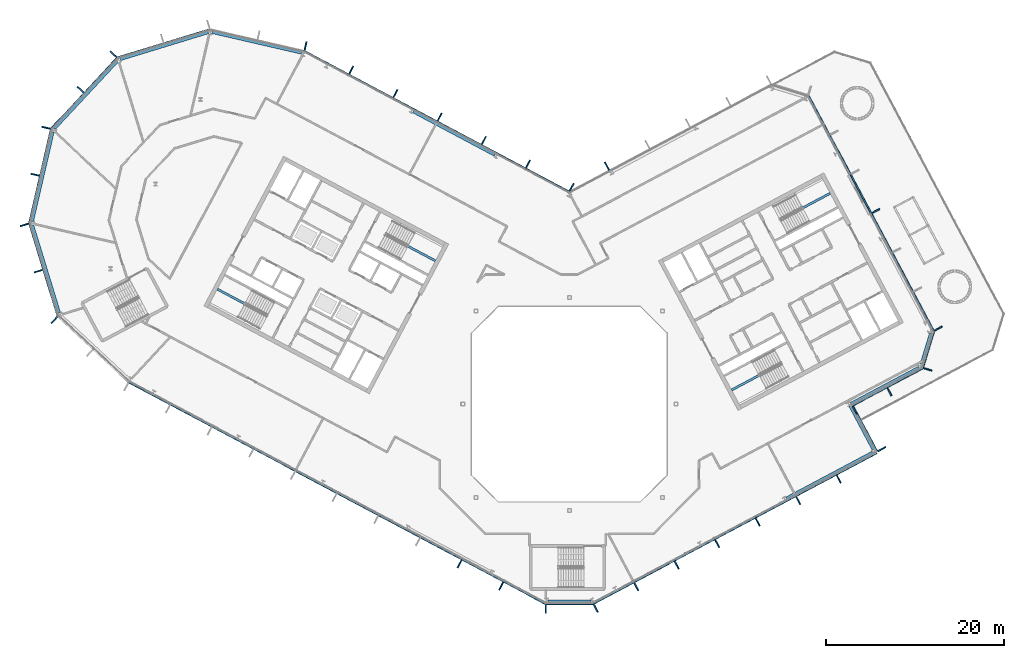
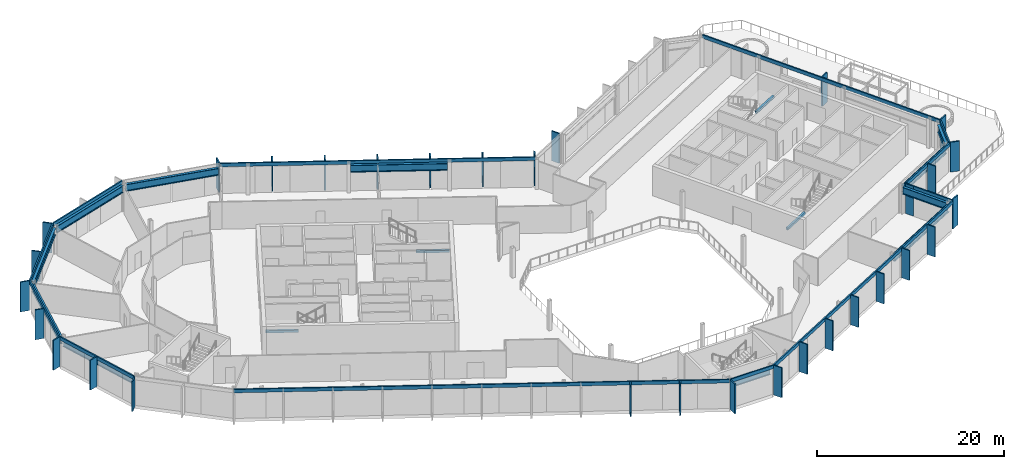
# One storey, part 9 of 30: 43 members, 15 beams, 15 elements without a shape of their own.
"""IFC4 building model written with IfcOpenShell, lengths in metres."""

import ifcopenshell
import ifcopenshell.guid

model = None  # the IFC model being written
_history = None  # IfcOwnerHistory: only IFC2X3 demands one
_inside = {}  # id of a spatial element -> (the spatial element, [elements in it])
_under = {}  # id of a project, library or spatial element -> (it, [spatial elements below it])
_declared = {}  # id of a project -> (the project, [libraries it declares])
_typed = {}  # id of a type object -> (the type object, [elements of that type])
_made_of = {}  # id of a material, layer set ... -> (it, [elements and type objects made of it])


def new_model(schema):
    """Start an empty IFC model of exactly this schema.

    Asked for "IFC4X3", IfcOpenShell would pick the latest addendum, in which some entities
    have other attributes; the version numbers below select the first issue.
    IFC2X3 requires an IfcOwnerHistory on every rooted entity: one is made here for all.
    """
    global model, _history
    if schema == "IFC4X3":
        model = ifcopenshell.file(schema_version=(4, 3, 0, 0))
    else:
        model = ifcopenshell.file(schema=schema)
    _inside.clear()
    _under.clear()
    _declared.clear()
    _typed.clear()
    _made_of.clear()
    _history = None
    if model.schema == "IFC2X3":
        org = make("IfcOrganization", Name="unknown")
        user = make(
            "IfcPersonAndOrganization",
            ThePerson=make("IfcPerson", FamilyName="unknown"),
            TheOrganization=org,
        )
        app = make(
            "IfcApplication",
            ApplicationDeveloper=org,
            Version="unknown",
            ApplicationFullName="unknown",
            ApplicationIdentifier="unknown",
        )
        _history = make(
            "IfcOwnerHistory",
            OwningUser=user,
            OwningApplication=app,
            ChangeAction="ADDED",
            CreationDate=0,
        )
    return model


def make(cls, **values):
    """One entity of the class cls with the attributes given. An attribute that is None is left unset."""
    return model.create_entity(
        cls, **{name: value for name, value in values.items() if value is not None}
    )


def rooted(cls, **values):
    """An entity with a GlobalId (a new one), such as an element, a storey or a relation."""
    return make(cls, GlobalId=ifcopenshell.guid.new(), OwnerHistory=_history, **values)


def si_unit(unit_type, name, prefix=None):
    """IfcSIUnit, for example si_unit("LENGTHUNIT", "METRE", prefix="MILLI")."""
    return make("IfcSIUnit", UnitType=unit_type, Prefix=prefix, Name=name)


def assignment(units):
    """IfcUnitAssignment: the units of a project."""
    return None if units is None else make("IfcUnitAssignment", Units=units)


def point(xyz):
    """IfcCartesianPoint."""
    return None if xyz is None else make("IfcCartesianPoint", Coordinates=xyz)


def direction(xyz):
    """IfcDirection."""
    return None if xyz is None else make("IfcDirection", DirectionRatios=xyz)


def frame(location, z_axis=None, x_axis=None):
    """IfcAxis2Placement3D, a coordinate frame: its origin and axes. An axis left out is left unset."""
    return make(
        "IfcAxis2Placement3D",
        Location=point(location),
        Axis=direction(z_axis),
        RefDirection=direction(x_axis),
    )


def frame_2d(location, x_axis=None):
    """IfcAxis2Placement2D, a coordinate frame in the plane: its origin and x axis."""
    return make(
        "IfcAxis2Placement2D", Location=point(location), RefDirection=direction(x_axis)
    )


def origin():
    """The frame at (0, 0, 0) with its axes left unset."""
    return frame((0.0, 0.0, 0.0))


def origin_2d():
    """The frame at (0, 0) in the plane with its x axis left unset."""
    return frame_2d((0.0, 0.0))


def place(relative_to, where):
    """IfcLocalPlacement: puts the frame where relative to a parent placement (None: the world)."""
    return make(
        "IfcLocalPlacement", PlacementRelTo=relative_to, RelativePlacement=where
    )


def context(
    kind, dimensions, precision=None, world=None, true_north=None, identifier=None
):
    """IfcGeometricRepresentationContext, for example the 3D "Model" context."""
    return make(
        "IfcGeometricRepresentationContext",
        ContextIdentifier=identifier,
        ContextType=kind,
        CoordinateSpaceDimension=dimensions,
        Precision=precision,
        WorldCoordinateSystem=world,
        TrueNorth=true_north,
    )


def subcontext(parent, identifier, kind, view, scale=None):
    """IfcGeometricRepresentationSubContext, for example "Body" below "Model"."""
    return make(
        "IfcGeometricRepresentationSubContext",
        ContextIdentifier=identifier,
        ContextType=kind,
        ParentContext=parent,
        TargetScale=scale,
        TargetView=view,
    )


def project(units=None, contexts=None):
    """IfcProject with its units and contexts."""
    return rooted(
        "IfcProject",
        Name="project",
        RepresentationContexts=contexts,
        UnitsInContext=assignment(units),
    )


def spatial(cls, under=None, at=None, **own):
    """A site, building, storey or space (cls), placed at a placement, below another one or the project."""
    s = rooted(cls, ObjectPlacement=at, **own)
    if under is not None:
        _under.setdefault(under.id(), (under, []))[1].append(s)
    return s


def profile(cls, at=None, kind="AREA", **sizes):
    """A parametric profile (cls). Its sizes go by their IFC names, for example OverallWidth=200.0."""
    return make(cls, ProfileType=kind, Position=at, **sizes)


def rectangle(**sizes):
    """IfcRectangleProfileDef."""
    return profile("IfcRectangleProfileDef", **sizes)


def i_section(**sizes):
    """IfcIShapeProfileDef."""
    return profile("IfcIShapeProfileDef", **sizes)


def extrude(swept, where, along, depth):
    """IfcExtrudedAreaSolid: the profile swept, set in the frame where, extruded along a direction by depth."""
    return make(
        "IfcExtrudedAreaSolid",
        SweptArea=swept,
        Position=where,
        ExtrudedDirection=direction(along),
        Depth=depth,
    )


def shape(context_of_items, identifier, shape_type, items):
    """IfcShapeRepresentation: the items that make up one representation, for example the "Body"."""
    return make(
        "IfcShapeRepresentation",
        ContextOfItems=context_of_items,
        RepresentationIdentifier=identifier,
        RepresentationType=shape_type,
        Items=items,
    )


def material(Name=None, Category=None):
    """IfcMaterial."""
    return make("IfcMaterial", Name=Name, Category=Category)


def layer(
    of_material, thickness, ventilated=None, Name=None, Category=None, Priority=None
):
    """IfcMaterialLayer: one layer of a wall or slab, of a material (None: an air gap)."""
    return make(
        "IfcMaterialLayer",
        Material=of_material,
        LayerThickness=thickness,
        IsVentilated=ventilated,
        Name=Name,
        Category=Category,
        Priority=Priority,
    )


def layer_set(layers, Name=None):
    """IfcMaterialLayerSet."""
    return make("IfcMaterialLayerSet", MaterialLayers=layers, LayerSetName=Name)


def material_profile(
    of_material, cross_section, Name=None, Category=None, Priority=None
):
    """IfcMaterialProfile: a cross section and its material."""
    return make(
        "IfcMaterialProfile",
        Name=Name,
        Material=of_material,
        Profile=cross_section,
        Priority=Priority,
        Category=Category,
    )


def profile_set(profiles, Name=None, composite=None):
    """IfcMaterialProfileSet."""
    return make(
        "IfcMaterialProfileSet",
        Name=Name,
        MaterialProfiles=profiles,
        CompositeProfile=composite,
    )


def made_of(thing, what):
    """Note that an element or type object is made of a material, layer set ...; save() writes the relation."""
    if what is not None:
        _made_of.setdefault(what.id(), (what, []))[1].append(thing)
    return thing


def type_object(cls, material=None, **own):
    """A type object (cls), such as IfcWallType, which elements share."""
    return made_of(rooted(cls, **own), material)


def element(
    cls,
    number,
    at=None,
    inside=None,
    cuts=None,
    type_object=None,
    material=None,
    context=None,
    identifier="Body",
    shape_type=None,
    held_by="IfcProductDefinitionShape",
    body=None,
    shapes=None,
    **own,
):
    """One element of the class cls, such as IfcWall. Its Tag is "e" and its number.

    at: its placement. inside: the storey or other place that contains it. cuts: it is an
    opening in that element (IfcRelVoidsElement). A single representation is given by context,
    identifier, shape_type and body (its items); several are given by shapes. held_by: the class
    of the entity that holds the representations. save() writes the other relations.
    """
    e = rooted(cls, Tag="e%d" % number, ObjectPlacement=at, **own)
    if body is not None:
        shapes = [shape(context, identifier, shape_type, body)]
    if shapes is not None:
        e.Representation = make(held_by, Representations=shapes)
    if inside is not None:
        _inside.setdefault(inside.id(), (inside, []))[1].append(e)
    if cuts is not None:
        rooted(
            "IfcRelVoidsElement", RelatingBuildingElement=cuts, RelatedOpeningElement=e
        )
    if type_object is not None:
        _typed.setdefault(type_object.id(), (type_object, []))[1].append(e)
    return made_of(e, material)


def aggregate(whole, parts):
    """IfcRelAggregates: a whole, such as a stair, and the parts it consists of."""
    return rooted("IfcRelAggregates", RelatingObject=whole, RelatedObjects=parts)


def save(model, path):
    """Write the relations noted so far, then the file.

    IfcRelAggregates (storeys below a building ...), IfcRelContainedInSpatialStructure (elements
    in a storey), IfcRelDefinesByType, IfcRelAssociatesMaterial and IfcRelDeclares: one each for
    every whole, place, type object, material and project.
    """
    for whole, parts in _under.values():
        aggregate(whole, parts)
    for where, things in _inside.values():
        rooted(
            "IfcRelContainedInSpatialStructure",
            RelatedElements=things,
            RelatingStructure=where,
        )
    for kind, things in _typed.values():
        rooted("IfcRelDefinesByType", RelatedObjects=things, RelatingType=kind)
    for what, things in _made_of.values():
        rooted("IfcRelAssociatesMaterial", RelatedObjects=things, RelatingMaterial=what)
    for by, libraries in _declared.values():
        rooted("IfcRelDeclares", RelatingContext=by, RelatedDefinitions=libraries)
    model.write(path)


model = new_model("IFC4")

# Units and contexts
model_context = context("Model", 3, precision=1e-05, world=origin(), true_north=direction((0.0, 1.0)))
body_context = subcontext(model_context, "Body", "Model", "MODEL_VIEW")
ifc_project = project(units=[si_unit("LENGTHUNIT", "METRE"), si_unit("AREAUNIT", "SQUARE_METRE"), si_unit("VOLUMEUNIT", "CUBIC_METRE"), si_unit("PLANEANGLEUNIT", "RADIAN"), si_unit("MASSUNIT", "GRAM", prefix="KILO")], contexts=[model_context])

# Site, building, storey
site_placement = place(None, origin())
site = spatial("IfcSite", under=ifc_project, at=site_placement, CompositionType="ELEMENT")
building_placement = place(site_placement, origin())
building = spatial("IfcBuilding", under=site, at=building_placement, Name="Cormorant Relay Tower", CompositionType="ELEMENT")
storey_placement = place(building_placement, frame((0.0, 0.0, 258.0)))
storey = spatial("IfcBuildingStorey", under=building, at=storey_placement, Name="L57", CompositionType="ELEMENT", Elevation=258.0)

# Curtain wall, member
ifc_material_1 = material(Name="Aluminium 6063-T6 anodised bronze", Category="aluminium")
ifc_layer = layer(ifc_material_1, 0.199951171875)
ifc_layer_set = layer_set([ifc_layer], Name="CW1 unitised bronze curtain wall with vertical fins")
curtain_wall_type = type_object("IfcCurtainWallType", Name="CW1 unitised bronze curtain wall with vertical fins", PredefinedType="NOTDEFINED", material=ifc_layer_set)
curtain_wall_1_placement = place(storey_placement, origin())
curtain_wall_1 = element("IfcCurtainWall", 1, at=curtain_wall_1_placement, inside=storey, type_object=curtain_wall_type, Name="CW1 curtain wall 1", PredefinedType="NOTDEFINED")
ifc_material_2 = material(Name="Aluminium 6063-T6 anodised bronze", Category="aluminium")
ifc_material_profile_1 = material_profile(ifc_material_2, rectangle(XDim=0.14990234375, YDim=1.0, at=origin_2d()), Name="AL 150x1000")
ifc_profile_set_1 = profile_set([ifc_material_profile_1], Name="Aluminium 6063-T6 anodised bronze")
member_type_1 = type_object("IfcMemberType", Name="CW1 bronze fin mullion 150 x 1000", PredefinedType="MULLION", material=ifc_profile_set_1)
member_1_placement = place(storey_placement, frame((-2.648681640625, -23.07568359375, 0.0), z_axis=(0.0, 0.0, 1.0), x_axis=(1.0, 0.0, 0.0)))
member_1 = element("IfcMember", 2, at=member_1_placement, type_object=member_type_1, Name="CW1 fin 1.1", PredefinedType="MULLION", context=body_context, shape_type="SweptSolid", body=[
    extrude(rectangle(XDim=0.14990234375, YDim=1.0, at=origin_2d()), origin(), (0.0, 0.0, 1.0), 3.89990234375),
])

# Curtain wall, members
curtain_wall_2_placement = place(storey_placement, origin())
curtain_wall_2 = element("IfcCurtainWall", 3, at=curtain_wall_2_placement, inside=storey, type_object=curtain_wall_type, Name="CW1 curtain wall 2", PredefinedType="NOTDEFINED")
member_2_placement = place(storey_placement, frame((2.9775390625, -22.99365234375, 0.0), z_axis=(0.0, 0.0, 1.0), x_axis=(0.882947592859, 0.469471562786, 0.0)))
member_2 = element("IfcMember", 4, at=member_2_placement, type_object=member_type_1, Name="CW1 fin 2.1", PredefinedType="MULLION", context=body_context, shape_type="SweptSolid", body=[
    extrude(rectangle(XDim=0.14990234375, YDim=1.0, at=origin_2d()), origin(), (0.0, 0.0, 1.0), 3.89990234375),
])
member_3_placement = place(storey_placement, frame((7.539306640625, -20.568115234375, 0.0), z_axis=(0.0, 0.0, 1.0), x_axis=(0.882947592859, 0.469471562786, 0.0)))
member_3 = element("IfcMember", 5, at=member_3_placement, type_object=member_type_1, Name="CW1 fin 2.2", PredefinedType="MULLION", context=body_context, shape_type="SweptSolid", body=[
    extrude(rectangle(XDim=0.14990234375, YDim=1.0, at=origin_2d()), origin(), (0.0, 0.0, 1.0), 3.89990234375),
])
member_4_placement = place(storey_placement, frame((12.10107421875, -18.142578125, 0.0), z_axis=(0.0, 0.0, 1.0), x_axis=(0.882947592859, 0.469471562786, 0.0)))
member_4 = element("IfcMember", 6, at=member_4_placement, type_object=member_type_1, Name="CW1 fin 2.3", PredefinedType="MULLION", context=body_context, shape_type="SweptSolid", body=[
    extrude(rectangle(XDim=0.14990234375, YDim=1.0, at=origin_2d()), origin(), (0.0, 0.0, 1.0), 3.89990234375),
])
member_5_placement = place(storey_placement, frame((16.662841796875, -15.717041015625, 0.0), z_axis=(0.0, 0.0, 1.0), x_axis=(0.882947592859, 0.469471562786, 0.0)))
member_5 = element("IfcMember", 7, at=member_5_placement, type_object=member_type_1, Name="CW1 fin 2.4", PredefinedType="MULLION", context=body_context, shape_type="SweptSolid", body=[
    extrude(rectangle(XDim=0.14990234375, YDim=1.0, at=origin_2d()), origin(), (0.0, 0.0, 1.0), 3.89990234375),
])
member_6_placement = place(storey_placement, frame((21.224609375, -13.29150390625, 0.0), z_axis=(0.0, 0.0, 1.0), x_axis=(0.882947592859, 0.469471562786, 0.0)))
member_6 = element("IfcMember", 8, at=member_6_placement, type_object=member_type_1, Name="CW1 fin 2.5", PredefinedType="MULLION", context=body_context, shape_type="SweptSolid", body=[
    extrude(rectangle(XDim=0.14990234375, YDim=1.0, at=origin_2d()), origin(), (0.0, 0.0, 1.0), 3.89990234375),
])
member_7_placement = place(storey_placement, frame((25.78662109375, -10.865966796875, 0.0), z_axis=(0.0, 0.0, 1.0), x_axis=(0.882947592859, 0.469471562786, 0.0)))
member_7 = element("IfcMember", 9, at=member_7_placement, type_object=member_type_1, Name="CW1 fin 2.6", PredefinedType="MULLION", context=body_context, shape_type="SweptSolid", body=[
    extrude(rectangle(XDim=0.14990234375, YDim=1.0, at=origin_2d()), origin(), (0.0, 0.0, 1.0), 3.89990234375),
])
member_8_placement = place(storey_placement, frame((30.348388671875, -8.440185546875, 0.0), z_axis=(0.0, 0.0, 1.0), x_axis=(0.882947592859, 0.469471562786, 0.0)))
member_8 = element("IfcMember", 10, at=member_8_placement, type_object=member_type_1, Name="CW1 fin 2.7", PredefinedType="MULLION", context=body_context, shape_type="SweptSolid", body=[
    extrude(rectangle(XDim=0.14990234375, YDim=1.0, at=origin_2d()), origin(), (0.0, 0.0, 1.0), 3.89990234375),
])

# Curtain wall, member
curtain_wall_3_placement = place(storey_placement, origin())
curtain_wall_3 = element("IfcCurtainWall", 11, at=curtain_wall_3_placement, inside=storey, type_object=curtain_wall_type, Name="CW1 curtain wall 3", PredefinedType="NOTDEFINED")
member_9_placement = place(storey_placement, frame((35.199462890625, -5.068115234375, 0.0), z_axis=(0.0, 0.0, 1.0), x_axis=(-0.469471562786, 0.882947592859, 0.0)))
member_9 = element("IfcMember", 12, at=member_9_placement, type_object=member_type_1, Name="CW1 fin 3.1", PredefinedType="MULLION", context=body_context, shape_type="SweptSolid", body=[
    extrude(rectangle(XDim=0.14990234375, YDim=1.0, at=origin_2d()), origin(), (0.0, 0.0, 1.0), 3.89990234375),
])

# Curtain wall, members
curtain_wall_4_placement = place(storey_placement, origin())
curtain_wall_4 = element("IfcCurtainWall", 13, at=curtain_wall_4_placement, inside=storey, type_object=curtain_wall_type, Name="CW1 curtain wall 4", PredefinedType="NOTDEFINED")
member_10_placement = place(storey_placement, frame((32.159423828125, -0.681884765625, 0.0), z_axis=(0.0, 0.0, 1.0), x_axis=(0.882947592859, 0.469471562786, 0.0)))
member_10 = element("IfcMember", 14, at=member_10_placement, type_object=member_type_1, Name="CW1 fin 4.1", PredefinedType="MULLION", context=body_context, shape_type="SweptSolid", body=[
    extrude(rectangle(XDim=0.14990234375, YDim=1.0, at=origin_2d()), origin(), (0.0, 0.0, 1.0), 3.89990234375),
])
member_11_placement = place(storey_placement, frame((36.06640625, 1.3955078125, 0.0), z_axis=(0.0, 0.0, 1.0), x_axis=(0.882947592859, 0.469471562786, 0.0)))
member_11 = element("IfcMember", 15, at=member_11_placement, type_object=member_type_1, Name="CW1 fin 4.2", PredefinedType="MULLION", context=body_context, shape_type="SweptSolid", body=[
    extrude(rectangle(XDim=0.14990234375, YDim=1.0, at=origin_2d()), origin(), (0.0, 0.0, 1.0), 3.89990234375),
])

# Curtain wall, member
curtain_wall_5_placement = place(storey_placement, origin())
curtain_wall_5 = element("IfcCurtainWall", 16, at=curtain_wall_5_placement, inside=storey, type_object=curtain_wall_type, Name="CW1 curtain wall 5", PredefinedType="NOTDEFINED")
member_12_placement = place(storey_placement, frame((40.380615234375, 3.921630859375, 0.0), z_axis=(0.0, 0.0, 1.0), x_axis=(0.292371704723, 0.956304755963, 0.0)))
member_12 = element("IfcMember", 17, at=member_12_placement, type_object=member_type_1, Name="CW1 fin 5.1", PredefinedType="MULLION", context=body_context, shape_type="SweptSolid", body=[
    extrude(rectangle(XDim=0.14990234375, YDim=1.0, at=origin_2d()), origin(), (0.0, 0.0, 1.0), 3.89990234375),
])

# Curtain wall, members
curtain_wall_6_placement = place(storey_placement, origin())
curtain_wall_6 = element("IfcCurtainWall", 18, at=curtain_wall_6_placement, inside=storey, type_object=curtain_wall_type, Name="CW1 curtain wall 6", PredefinedType="NOTDEFINED")
member_13_placement = place(storey_placement, frame((41.569580078125, 8.51220703125, 0.0), z_axis=(0.0, 0.0, 1.0), x_axis=(-0.469471562786, 0.882947592859, 0.0)))
member_13 = element("IfcMember", 19, at=member_13_placement, type_object=member_type_1, Name="CW1 fin 6.1", PredefinedType="MULLION", context=body_context, shape_type="SweptSolid", body=[
    extrude(rectangle(XDim=0.14990234375, YDim=1.0, at=origin_2d()), origin(), (0.0, 0.0, 1.0), 3.89990234375),
])
member_14_placement = place(storey_placement, frame((34.527587890625, 21.75634765625, 0.0), z_axis=(0.0, 0.0, 1.0), x_axis=(-0.469471562786, 0.882947592859, 0.0)))
member_14 = element("IfcMember", 20, at=member_14_placement, type_object=member_type_1, Name="CW1 fin 6.4", PredefinedType="MULLION", context=body_context, shape_type="SweptSolid", body=[
    extrude(rectangle(XDim=0.14990234375, YDim=1.0, at=origin_2d()), origin(), (0.0, 0.0, 1.0), 3.89990234375),
])

# Curtain wall, member
curtain_wall_7_placement = place(storey_placement, origin())
curtain_wall_7 = element("IfcCurtainWall", 21, at=curtain_wall_7_placement, inside=storey, type_object=curtain_wall_type, Name="CW1 curtain wall 8", PredefinedType="NOTDEFINED")
member_15_placement = place(storey_placement, frame((4.2333984375, 26.82763671875, 0.0), z_axis=(0.0, 0.0, 1.0), x_axis=(-0.882947592859, -0.469471562786, 0.0)))
member_15 = element("IfcMember", 22, at=member_15_placement, type_object=member_type_1, Name="CW1 fin 8.5", PredefinedType="MULLION", context=body_context, shape_type="SweptSolid", body=[
    extrude(rectangle(XDim=0.14990234375, YDim=1.0, at=origin_2d()), origin(), (0.0, 0.0, 1.0), 3.89990234375),
])
aggregate(curtain_wall_7, [member_15])

# Curtain wall, members
curtain_wall_8_placement = place(storey_placement, origin())
curtain_wall_8 = element("IfcCurtainWall", 23, at=curtain_wall_8_placement, inside=storey, type_object=curtain_wall_type, Name="CW1 curtain wall 9", PredefinedType="NOTDEFINED")
member_16_placement = place(storey_placement, frame((0.262451171875, 24.437255859375, 0.0), z_axis=(0.0, 0.0, 1.0), x_axis=(-0.882947592859, 0.469471562786, 0.0)))
member_16 = element("IfcMember", 24, at=member_16_placement, type_object=member_type_1, Name="CW1 fin 9.1", PredefinedType="MULLION", context=body_context, shape_type="SweptSolid", body=[
    extrude(rectangle(XDim=0.14990234375, YDim=1.0, at=origin_2d()), origin(), (0.0, 0.0, 1.0), 3.89990234375),
])
member_17_placement = place(storey_placement, frame((-4.650390625, 27.04931640625, 0.0), z_axis=(0.0, 0.0, 1.0), x_axis=(-0.882947592859, 0.469471562786, 0.0)))
member_17 = element("IfcMember", 25, at=member_17_placement, type_object=member_type_1, Name="CW1 fin 9.2", PredefinedType="MULLION", context=body_context, shape_type="SweptSolid", body=[
    extrude(rectangle(XDim=0.14990234375, YDim=1.0, at=origin_2d()), origin(), (0.0, 0.0, 1.0), 3.89990234375),
])
member_18_placement = place(storey_placement, frame((-9.62939453125, 29.69677734375, 0.0), z_axis=(0.0, 0.0, 1.0), x_axis=(-0.882947592859, 0.469471562786, 0.0)))
member_18 = element("IfcMember", 26, at=member_18_placement, type_object=member_type_1, Name="CW1 fin 9.3", PredefinedType="MULLION", context=body_context, shape_type="SweptSolid", body=[
    extrude(rectangle(XDim=0.14990234375, YDim=1.0, at=origin_2d()), origin(), (0.0, 0.0, 1.0), 3.89990234375),
])
member_19_placement = place(storey_placement, frame((-14.608154296875, 32.343994140625, 0.0), z_axis=(0.0, 0.0, 1.0), x_axis=(-0.882947592859, 0.469471562786, 0.0)))
member_19 = element("IfcMember", 27, at=member_19_placement, type_object=member_type_1, Name="CW1 fin 9.4", PredefinedType="MULLION", context=body_context, shape_type="SweptSolid", body=[
    extrude(rectangle(XDim=0.14990234375, YDim=1.0, at=origin_2d()), origin(), (0.0, 0.0, 1.0), 3.89990234375),
])
member_20_placement = place(storey_placement, frame((-19.587158203125, 34.991455078125, 0.0), z_axis=(0.0, 0.0, 1.0), x_axis=(-0.882947592859, 0.469471562786, 0.0)))
member_20 = element("IfcMember", 28, at=member_20_placement, type_object=member_type_1, Name="CW1 fin 9.5", PredefinedType="MULLION", context=body_context, shape_type="SweptSolid", body=[
    extrude(rectangle(XDim=0.14990234375, YDim=1.0, at=origin_2d()), origin(), (0.0, 0.0, 1.0), 3.89990234375),
])
member_21_placement = place(storey_placement, frame((-24.566162109375, 37.638916015625, 0.0), z_axis=(0.0, 0.0, 1.0), x_axis=(-0.882947592859, 0.469471562786, 0.0)))
member_21 = element("IfcMember", 29, at=member_21_placement, type_object=member_type_1, Name="CW1 fin 9.6", PredefinedType="MULLION", context=body_context, shape_type="SweptSolid", body=[
    extrude(rectangle(XDim=0.14990234375, YDim=1.0, at=origin_2d()), origin(), (0.0, 0.0, 1.0), 3.89990234375),
])

# Curtain wall, member
curtain_wall_9_placement = place(storey_placement, origin())
curtain_wall_9 = element("IfcCurtainWall", 30, at=curtain_wall_9_placement, inside=storey, type_object=curtain_wall_type, Name="CW1 curtain wall 10", PredefinedType="NOTDEFINED")
member_22_placement = place(storey_placement, frame((-29.71630859375, 40.35009765625, 0.0), z_axis=(0.0, 0.0, 1.0), x_axis=(-0.974370064785, 0.224951054344, 0.0)))
member_22 = element("IfcMember", 31, at=member_22_placement, type_object=member_type_1, Name="CW1 fin 10.1", PredefinedType="MULLION", context=body_context, shape_type="SweptSolid", body=[
    extrude(rectangle(XDim=0.14990234375, YDim=1.0, at=origin_2d()), origin(), (0.0, 0.0, 1.0), 3.89990234375),
])
aggregate(curtain_wall_9, [member_22])

# Curtain wall, members
curtain_wall_10_placement = place(storey_placement, origin())
curtain_wall_10 = element("IfcCurtainWall", 32, at=curtain_wall_10_placement, inside=storey, type_object=curtain_wall_type, Name="CW1 curtain wall 12", PredefinedType="NOTDEFINED")
member_23_placement = place(storey_placement, frame((-51.372802734375, 39.41259765625, 0.0), z_axis=(0.0, 0.0, 1.0), x_axis=(-0.681998360062, -0.731353701619, 0.0)))
member_23 = element("IfcMember", 33, at=member_23_placement, type_object=member_type_1, Name="CW1 fin 12.1", PredefinedType="MULLION", context=body_context, shape_type="SweptSolid", body=[
    extrude(rectangle(XDim=0.14990234375, YDim=1.0, at=origin_2d()), origin(), (0.0, 0.0, 1.0), 3.89990234375),
])
member_24_placement = place(storey_placement, frame((-55.07958984375, 35.4375, 0.0), z_axis=(0.0, 0.0, 1.0), x_axis=(-0.681998360062, -0.731353701619, 0.0)))
member_24 = element("IfcMember", 34, at=member_24_placement, type_object=member_type_1, Name="CW1 fin 12.2", PredefinedType="MULLION", context=body_context, shape_type="SweptSolid", body=[
    extrude(rectangle(XDim=0.14990234375, YDim=1.0, at=origin_2d()), origin(), (0.0, 0.0, 1.0), 3.89990234375),
])

curtain_wall_11_placement = place(storey_placement, origin())
curtain_wall_11 = element("IfcCurtainWall", 35, at=curtain_wall_11_placement, inside=storey, type_object=curtain_wall_type, Name="CW1 curtain wall 13", PredefinedType="NOTDEFINED")
member_25_placement = place(storey_placement, frame((-58.95654296875, 31.142578125, 0.0), z_axis=(0.0, 0.0, 1.0), x_axis=(-0.224951054344, -0.974370064785, 0.0)))
member_25 = element("IfcMember", 36, at=member_25_placement, type_object=member_type_1, Name="CW1 fin 13.1", PredefinedType="MULLION", context=body_context, shape_type="SweptSolid", body=[
    extrude(rectangle(XDim=0.14990234375, YDim=1.0, at=origin_2d()), origin(), (0.0, 0.0, 1.0), 3.89990234375),
])
member_26_placement = place(storey_placement, frame((-60.17919921875, 25.8466796875, 0.0), z_axis=(0.0, 0.0, 1.0), x_axis=(-0.224951054344, -0.974370064785, 0.0)))
member_26 = element("IfcMember", 37, at=member_26_placement, type_object=member_type_1, Name="CW1 fin 13.2", PredefinedType="MULLION", context=body_context, shape_type="SweptSolid", body=[
    extrude(rectangle(XDim=0.14990234375, YDim=1.0, at=origin_2d()), origin(), (0.0, 0.0, 1.0), 3.89990234375),
])

curtain_wall_12_placement = place(storey_placement, origin())
curtain_wall_12 = element("IfcCurtainWall", 38, at=curtain_wall_12_placement, inside=storey, type_object=curtain_wall_type, Name="CW1 curtain wall 14", PredefinedType="NOTDEFINED")
member_27_placement = place(storey_placement, frame((-61.389404296875, 20.188720703125, 0.0), z_axis=(0.0, 0.0, 1.0), x_axis=(0.292371704723, -0.956304755963, 0.0)))
member_27 = element("IfcMember", 39, at=member_27_placement, type_object=member_type_1, Name="CW1 fin 14.1", PredefinedType="MULLION", context=body_context, shape_type="SweptSolid", body=[
    extrude(rectangle(XDim=0.14990234375, YDim=1.0, at=origin_2d()), origin(), (0.0, 0.0, 1.0), 3.89990234375),
])
member_28_placement = place(storey_placement, frame((-59.80029296875, 14.990966796875, 0.0), z_axis=(0.0, 0.0, 1.0), x_axis=(0.292371704723, -0.956304755963, 0.0)))
member_28 = element("IfcMember", 40, at=member_28_placement, type_object=member_type_1, Name="CW1 fin 14.2", PredefinedType="MULLION", context=body_context, shape_type="SweptSolid", body=[
    extrude(rectangle(XDim=0.14990234375, YDim=1.0, at=origin_2d()), origin(), (0.0, 0.0, 1.0), 3.89990234375),
])

# Curtain wall, member
curtain_wall_13_placement = place(storey_placement, origin())
curtain_wall_13 = element("IfcCurtainWall", 41, at=curtain_wall_13_placement, inside=storey, type_object=curtain_wall_type, Name="CW1 curtain wall 15", PredefinedType="NOTDEFINED")
member_29_placement = place(storey_placement, frame((-58.01904296875, 9.486083984375, 0.0), z_axis=(0.0, 0.0, 1.0), x_axis=(0.731353701619, -0.681998360062, 0.0)))
member_29 = element("IfcMember", 42, at=member_29_placement, type_object=member_type_1, Name="CW1 fin 15.1", PredefinedType="MULLION", context=body_context, shape_type="SweptSolid", body=[
    extrude(rectangle(XDim=0.14990234375, YDim=1.0, at=origin_2d()), origin(), (0.0, 0.0, 1.0), 3.89990234375),
])
aggregate(curtain_wall_13, [member_29])

# Curtain wall, members
curtain_wall_14_placement = place(storey_placement, origin())
curtain_wall_14 = element("IfcCurtainWall", 43, at=curtain_wall_14_placement, inside=storey, type_object=curtain_wall_type, Name="CW1 curtain wall 16", PredefinedType="NOTDEFINED")
member_30_placement = place(storey_placement, frame((-12.365966796875, -18.001708984375, 0.0), z_axis=(0.0, 0.0, 1.0), x_axis=(0.882947592859, -0.469471562786, 0.0)))
member_30 = element("IfcMember", 44, at=member_30_placement, type_object=member_type_1, Name="CW1 fin 16.9", PredefinedType="MULLION", context=body_context, shape_type="SweptSolid", body=[
    extrude(rectangle(XDim=0.14990234375, YDim=1.0, at=origin_2d()), origin(), (0.0, 0.0, 1.0), 3.89990234375),
])
member_31_placement = place(storey_placement, frame((-7.671630859375, -20.49755859375, 0.0), z_axis=(0.0, 0.0, 1.0), x_axis=(0.882947592859, -0.469471562786, 0.0)))
member_31 = element("IfcMember", 45, at=member_31_placement, type_object=member_type_1, Name="CW1 fin 16.10", PredefinedType="MULLION", context=body_context, shape_type="SweptSolid", body=[
    extrude(rectangle(XDim=0.14990234375, YDim=1.0, at=origin_2d()), origin(), (0.0, 0.0, 1.0), 3.89990234375),
])

# Member
ifc_material_3 = material(Name="Aluminium 6063-T6 anodised bronze", Category="aluminium")
ifc_material_profile_2 = material_profile(ifc_material_3, rectangle(XDim=0.159912109375, YDim=0.449951171875, at=origin_2d()), Name="AL 160x450")
ifc_profile_set_2 = profile_set([ifc_material_profile_2], Name="Aluminium 6063-T6 anodised bronze")
member_type_2 = type_object("IfcMemberType", Name="CW1 bronze transom 160 x 450", PredefinedType="USERDEFINED", material=ifc_profile_set_2)
member_32_placement = place(storey_placement, frame((-2.648681640625, -22.49560546875, 3.675048828125), z_axis=(1.0, 0.0, 0.0), x_axis=(0.0, 1.0, 0.0)))
member_32 = element("IfcMember", 46, at=member_32_placement, type_object=member_type_2, Name="CW1 transom 1", ObjectType="TRANSOM", PredefinedType="USERDEFINED", context=body_context, shape_type="SweptSolid", body=[
    extrude(rectangle(XDim=0.159912109375, YDim=0.449951171875, at=origin_2d()), origin(), (0.0, 0.0, 1.0), 5.29736328125),
])

aggregate(curtain_wall_1, [member_1, member_32])

member_33_placement = place(storey_placement, frame((2.705078125, -22.4814453125, 3.675048828125), z_axis=(0.882948899141, 0.469469106018, 0.0), x_axis=(-0.469469106018, 0.882948899141, 0.0)))
member_33 = element("IfcMember", 47, at=member_33_placement, type_object=member_type_2, Name="CW1 transom 2", ObjectType="TRANSOM", PredefinedType="USERDEFINED", context=body_context, shape_type="SweptSolid", body=[
    extrude(rectangle(XDim=0.159912109375, YDim=0.449951171875, at=origin_2d()), origin(), (0.0, 0.0, 1.0), 36.165771484375),
])

aggregate(curtain_wall_2, [member_2, member_3, member_4, member_5, member_6, member_7, member_8, member_33])

member_34_placement = place(storey_placement, frame((34.6875, -5.34033203125, 3.675048828125), z_axis=(-0.469485426614, 0.882940221191, 0.0), x_axis=(-0.882940221191, -0.469485426614, 0.0)))
member_34 = element("IfcMember", 48, at=member_34_placement, type_object=member_type_2, Name="CW1 transom 3", ObjectType="TRANSOM", PredefinedType="USERDEFINED", context=body_context, shape_type="SweptSolid", body=[
    extrude(rectangle(XDim=0.159912109375, YDim=0.449951171875, at=origin_2d()), origin(), (0.0, 0.0, 1.0), 6.0),
])

aggregate(curtain_wall_3, [member_9, member_34])

member_35_placement = place(storey_placement, frame((31.82080078125, -0.205078125, 3.675048828125), z_axis=(0.882949189538, 0.469468559857, 0.0), x_axis=(-0.469468559857, 0.882949189538, 0.0)))
member_35 = element("IfcMember", 49, at=member_35_placement, type_object=member_type_2, Name="CW1 transom 4", ObjectType="TRANSOM", PredefinedType="USERDEFINED", context=body_context, shape_type="SweptSolid", body=[
    extrude(rectangle(XDim=0.159912109375, YDim=0.449951171875, at=origin_2d()), origin(), (0.0, 0.0, 1.0), 9.000244140625),
])

aggregate(curtain_wall_4, [member_10, member_11, member_35])

member_36_placement = place(storey_placement, frame((39.825927734375, 4.091064453125, 3.675048828125), z_axis=(0.292374957137, 0.956303761594, 0.0), x_axis=(-0.956303761594, 0.292374957137, 0.0)))
member_36 = element("IfcMember", 50, at=member_36_placement, type_object=member_type_2, Name="CW1 transom 5", ObjectType="TRANSOM", PredefinedType="USERDEFINED", context=body_context, shape_type="SweptSolid", body=[
    extrude(rectangle(XDim=0.159912109375, YDim=0.449951171875, at=origin_2d()), origin(), (0.0, 0.0, 1.0), 4.24267578125),
])

aggregate(curtain_wall_5, [member_12, member_36])

member_37_placement = place(storey_placement, frame((41.0576171875, 8.23974609375, 3.675048828125), z_axis=(-0.469472335483, 0.882947182008, 0.0), x_axis=(-0.882947182008, -0.469472335483, 0.0)))
member_37 = element("IfcMember", 51, at=member_37_placement, type_object=member_type_2, Name="CW1 transom 6", ObjectType="TRANSOM", PredefinedType="USERDEFINED", context=body_context, shape_type="SweptSolid", body=[
    extrude(rectangle(XDim=0.159912109375, YDim=0.449951171875, at=origin_2d()), origin(), (0.0, 0.0, 1.0), 30.000244140625),
])

aggregate(curtain_wall_6, [member_13, member_14, member_37])

member_38_placement = place(storey_placement, frame((0.056396484375, 23.889892578125, 3.675048828125), z_axis=(-0.882946280328, 0.46947403129, 0.0), x_axis=(-0.46947403129, -0.882946280328, 0.0)))
member_38 = element("IfcMember", 52, at=member_38_placement, type_object=member_type_2, Name="CW1 transom 9", ObjectType="TRANSOM", PredefinedType="USERDEFINED", context=body_context, shape_type="SweptSolid", body=[
    extrude(rectangle(XDim=0.159912109375, YDim=0.449951171875, at=origin_2d()), origin(), (0.0, 0.0, 1.0), 33.834228515625),
])

aggregate(curtain_wall_8, [member_16, member_17, member_18, member_19, member_20, member_21, member_38])

# Curtain wall, member
curtain_wall_15_placement = place(storey_placement, origin())
curtain_wall_15 = element("IfcCurtainWall", 53, at=curtain_wall_15_placement, inside=storey, type_object=curtain_wall_type, Name="CW1 curtain wall 11", PredefinedType="NOTDEFINED")
member_39_placement = place(storey_placement, frame((-40.50048828125, 42.228271484375, 3.675048828125), z_axis=(-0.956304833932, -0.292371449698, 0.0), x_axis=(0.292371449698, -0.956304833932, 0.0)))
member_39 = element("IfcMember", 54, at=member_39_placement, type_object=member_type_2, Name="CW1 transom 11", ObjectType="TRANSOM", PredefinedType="USERDEFINED", context=body_context, shape_type="SweptSolid", body=[
    extrude(rectangle(XDim=0.159912109375, YDim=0.449951171875, at=origin_2d()), origin(), (0.0, 0.0, 1.0), 10.87060546875),
])
aggregate(curtain_wall_15, [member_39])

# Member
member_40_placement = place(storey_placement, frame((-50.94873046875, 39.01708984375, 3.675048828125), z_axis=(-0.681993299437, -0.731358420696, 0.0), x_axis=(0.731358420696, -0.681993299437, 0.0)))
member_40 = element("IfcMember", 55, at=member_40_placement, type_object=member_type_2, Name="CW1 transom 12", ObjectType="TRANSOM", PredefinedType="USERDEFINED", context=body_context, shape_type="SweptSolid", body=[
    extrude(rectangle(XDim=0.159912109375, YDim=0.449951171875, at=origin_2d()), origin(), (0.0, 0.0, 1.0), 10.870361328125),
])

aggregate(curtain_wall_10, [member_23, member_24, member_40])

member_41_placement = place(storey_placement, frame((-58.3916015625, 31.01220703125, 3.675048828125), z_axis=(-0.22495136131, -0.974369993916, 0.0), x_axis=(0.974369993916, -0.22495136131, 0.0)))
member_41 = element("IfcMember", 56, at=member_41_placement, type_object=member_type_2, Name="CW1 transom 13", ObjectType="TRANSOM", PredefinedType="USERDEFINED", context=body_context, shape_type="SweptSolid", body=[
    extrude(rectangle(XDim=0.159912109375, YDim=0.449951171875, at=origin_2d()), origin(), (0.0, 0.0, 1.0), 10.870361328125),
])

aggregate(curtain_wall_11, [member_25, member_26, member_41])

member_42_placement = place(storey_placement, frame((-60.834716796875, 20.358154296875, 3.675048828125), z_axis=(0.292377729282, -0.95630291405, 0.0), x_axis=(0.95630291405, 0.292377729282, 0.0)))
member_42 = element("IfcMember", 57, at=member_42_placement, type_object=member_type_2, Name="CW1 transom 14", ObjectType="TRANSOM", PredefinedType="USERDEFINED", context=body_context, shape_type="SweptSolid", body=[
    extrude(rectangle(XDim=0.159912109375, YDim=0.449951171875, at=origin_2d()), origin(), (0.0, 0.0, 1.0), 10.870361328125),
])

aggregate(curtain_wall_12, [member_27, member_28, member_42])

member_43_placement = place(storey_placement, frame((-49.64794921875, 2.478515625, 3.675048828125), z_axis=(0.882947642542, -0.469471469346, 0.0), x_axis=(0.469471469346, 0.882947642542, 0.0)))
member_43 = element("IfcMember", 58, at=member_43_placement, type_object=member_type_2, Name="CW1 transom 16", ObjectType="TRANSOM", PredefinedType="USERDEFINED", context=body_context, shape_type="SweptSolid", body=[
    extrude(rectangle(XDim=0.159912109375, YDim=0.449951171875, at=origin_2d()), origin(), (0.0, 0.0, 1.0), 53.166015625),
])

aggregate(curtain_wall_14, [member_30, member_31, member_43])

# Beams
ifc_material_4 = material(Name="Steel ASTM A992 (Fy 345 MPa)", Category="steel")
ifc_material_profile_3 = material_profile(ifc_material_4, i_section(OverallWidth=0.307373046875, OverallDepth=0.927001953125, WebThickness=0.019287109375, FlangeThickness=0.031982421875, FilletRadius=0.01904296875, at=origin_2d()), Name="W920x289")
ifc_profile_set_3 = profile_set([ifc_material_profile_3], Name="Steel ASTM A992 (Fy 345 MPa)")
beam_type_1 = type_object("IfcBeamType", Name="Spandrel W920x289", PredefinedType="SPANDREL", material=ifc_profile_set_3)
beam_1_placement = place(storey_placement, frame((-2.377197265625, -22.221923828125, 3.076416015625), z_axis=(1.0, 0.0, 0.0), x_axis=(0.0, 1.0, 0.0)))
element("IfcBeam", 59, at=beam_1_placement, inside=storey, type_object=beam_type_1, Name="Spandrel beam L57-001", PredefinedType="SPANDREL", context=body_context, shape_type="SweptSolid", body=[
    extrude(i_section(OverallWidth=0.307373046875, OverallDepth=0.927001953125, WebThickness=0.019287109375, FlangeThickness=0.031982421875, FilletRadius=0.01904296875, at=origin_2d()), origin(), (0.0, 0.0, 1.0), 4.79541015625),
])
beam_2_placement = place(storey_placement, frame((24.44287109375, -10.61328125, 3.076416015625), z_axis=(0.882957797597, 0.469452369961, 0.0), x_axis=(-0.469452369961, 0.882957797597, 0.0)))
element("IfcBeam", 60, at=beam_2_placement, inside=storey, type_object=beam_type_1, Name="Spandrel beam L57-002", PredefinedType="SPANDREL", context=body_context, shape_type="SweptSolid", body=[
    extrude(i_section(OverallWidth=0.307373046875, OverallDepth=0.927001953125, WebThickness=0.019287109375, FlangeThickness=0.031982421875, FilletRadius=0.01904296875, at=origin_2d()), origin(), (0.0, 0.0, 1.0), 10.992431640625),
])
beam_3_placement = place(storey_placement, frame((34.254638671875, -5.109619140625, 3.076416015625), z_axis=(-0.469457325339, 0.882955162897, 0.0), x_axis=(-0.882955162897, -0.469457325339, 0.0)))
element("IfcBeam", 61, at=beam_3_placement, inside=storey, type_object=beam_type_1, Name="Spandrel beam L57-003", PredefinedType="SPANDREL", context=body_context, shape_type="SweptSolid", body=[
    extrude(i_section(OverallWidth=0.307373046875, OverallDepth=0.927001953125, WebThickness=0.019287109375, FlangeThickness=0.031982421875, FilletRadius=0.01904296875, at=origin_2d()), origin(), (0.0, 0.0, 1.0), 5.593017578125),
])
beam_4_placement = place(storey_placement, frame((31.6923828125, 0.03662109375, 3.076416015625), z_axis=(0.882943393008, 0.469479461472, 0.0), x_axis=(-0.469479461472, 0.882943393008, 0.0)))
element("IfcBeam", 62, at=beam_4_placement, inside=storey, type_object=beam_type_1, Name="Spandrel beam L57-004", PredefinedType="SPANDREL", context=body_context, shape_type="SweptSolid", body=[
    extrude(i_section(OverallWidth=0.307373046875, OverallDepth=0.927001953125, WebThickness=0.019287109375, FlangeThickness=0.031982421875, FilletRadius=0.01904296875, at=origin_2d()), origin(), (0.0, 0.0, 1.0), 8.734375),
])
beam_5_placement = place(storey_placement, frame((39.6591796875, 4.4814453125, 3.076416015625), z_axis=(0.292323829151, 0.956319391684, 0.0), x_axis=(-0.956319391684, 0.292323829151, 0.0)))
element("IfcBeam", 63, at=beam_5_placement, inside=storey, type_object=beam_type_1, Name="Spandrel beam L57-005", PredefinedType="SPANDREL", context=body_context, shape_type="SweptSolid", body=[
    extrude(i_section(OverallWidth=0.307373046875, OverallDepth=0.927001953125, WebThickness=0.019287109375, FlangeThickness=0.031982421875, FilletRadius=0.01904296875, at=origin_2d()), origin(), (0.0, 0.0, 1.0), 3.652099609375),
])
beam_6_placement = place(storey_placement, frame((-8.401611328125, 28.0771484375, 3.076416015625), z_axis=(-0.882945471565, 0.469475552338, 0.0), x_axis=(-0.469475552338, -0.882945471565, 0.0)))
element("IfcBeam", 64, at=beam_6_placement, inside=storey, type_object=beam_type_1, Name="Spandrel beam L57-009", PredefinedType="SPANDREL", context=body_context, shape_type="SweptSolid", body=[
    extrude(i_section(OverallWidth=0.307373046875, OverallDepth=0.927001953125, WebThickness=0.019287109375, FlangeThickness=0.031982421875, FilletRadius=0.01904296875, at=origin_2d()), origin(), (0.0, 0.0, 1.0), 10.401123046875),
])
beam_7_placement = place(storey_placement, frame((-30.138427734375, 39.571533203125, 3.076416015625), z_axis=(-0.97437021882, 0.224950387145, 0.0), x_axis=(-0.224950387145, -0.97437021882, 0.0)))
element("IfcBeam", 65, at=beam_7_placement, inside=storey, type_object=beam_type_1, Name="Spandrel beam L57-010", PredefinedType="SPANDREL", context=body_context, shape_type="SweptSolid", body=[
    extrude(i_section(OverallWidth=0.307373046875, OverallDepth=0.927001953125, WebThickness=0.019287109375, FlangeThickness=0.031982421875, FilletRadius=0.01904296875, at=origin_2d()), origin(), (0.0, 0.0, 1.0), 10.3984375),
])
beam_8_placement = place(storey_placement, frame((-40.68505859375, 41.8857421875, 3.076416015625), z_axis=(-0.956304903575, -0.292371221906, 0.0), x_axis=(0.292371221906, -0.956304903575, 0.0)))
element("IfcBeam", 66, at=beam_8_placement, inside=storey, type_object=beam_type_1, Name="Spandrel beam L57-011", PredefinedType="SPANDREL", context=body_context, shape_type="SweptSolid", body=[
    extrude(i_section(OverallWidth=0.307373046875, OverallDepth=0.927001953125, WebThickness=0.019287109375, FlangeThickness=0.031982421875, FilletRadius=0.01904296875, at=origin_2d()), origin(), (0.0, 0.0, 1.0), 10.358642578125),
])
beam_9_placement = place(storey_placement, frame((-50.9375, 38.627685546875, 3.076416015625), z_axis=(-0.682009982741, -0.731342863124, 0.0), x_axis=(0.731342863124, -0.682009982741, 0.0)))
element("IfcBeam", 67, at=beam_9_placement, inside=storey, type_object=beam_type_1, Name="Spandrel beam L57-012", PredefinedType="SPANDREL", context=body_context, shape_type="SweptSolid", body=[
    extrude(i_section(OverallWidth=0.307373046875, OverallDepth=0.927001953125, WebThickness=0.019287109375, FlangeThickness=0.031982421875, FilletRadius=0.01904296875, at=origin_2d()), origin(), (0.0, 0.0, 1.0), 10.35791015625),
])
beam_10_placement = place(storey_placement, frame((-58.18701171875, 30.680908203125, 3.076416015625), z_axis=(-0.224955895786, -0.974368947038, 0.0), x_axis=(0.974368947038, -0.224955895786, 0.0)))
element("IfcBeam", 68, at=beam_10_placement, inside=storey, type_object=beam_type_1, Name="Spandrel beam L57-013", PredefinedType="SPANDREL", context=body_context, shape_type="SweptSolid", body=[
    extrude(i_section(OverallWidth=0.307373046875, OverallDepth=0.927001953125, WebThickness=0.019287109375, FlangeThickness=0.031982421875, FilletRadius=0.01904296875, at=origin_2d()), origin(), (0.0, 0.0, 1.0), 10.359130859375),
])
beam_11_placement = place(storey_placement, frame((-60.49169921875, 20.1728515625, 3.076416015625), z_axis=(0.292367651593, -0.95630599512, 0.0), x_axis=(0.95630599512, 0.292367651593, 0.0)))
element("IfcBeam", 69, at=beam_11_placement, inside=storey, type_object=beam_type_1, Name="Spandrel beam L57-014", PredefinedType="SPANDREL", context=body_context, shape_type="SweptSolid", body=[
    extrude(i_section(OverallWidth=0.307373046875, OverallDepth=0.927001953125, WebThickness=0.019287109375, FlangeThickness=0.031982421875, FilletRadius=0.01904296875, at=origin_2d()), origin(), (0.0, 0.0, 1.0), 10.357177734375),
])
ifc_material_5 = material(Name="Concrete 50 MPa", Category="concrete")
ifc_material_profile_4 = material_profile(ifc_material_5, rectangle(XDim=0.25, YDim=0.300048828125, at=origin_2d()), Name="RC 250x300")
ifc_profile_set_4 = profile_set([ifc_material_profile_4], Name="Concrete 50 MPa")
beam_type_2 = type_object("IfcBeamType", Name="Stair landing ledge beam 250x300", PredefinedType="BEAM", material=ifc_profile_set_4)
beam_12_placement = place(storey_placement, frame((-18.219482421875, 17.813720703125, 1.60009765625), z_axis=(0.882950035608, -0.469466968614, 0.0), x_axis=(0.469466968614, 0.882950035608, 0.0)))
element("IfcBeam", 70, at=beam_12_placement, inside=storey, type_object=beam_type_2, Name="A1 landing ledge beam", PredefinedType="BEAM", context=body_context, shape_type="SweptSolid", body=[
    extrude(rectangle(XDim=0.25, YDim=0.300048828125, at=origin_2d()), origin(), (0.0, 0.0, 1.0), 3.5498046875),
])
for number, where, z_axis, x_axis, name in (
    (71, (-36.523193359375, 11.29345703125, 1.60009765625), (-0.88293668587, 0.469492075273, 0.0), (-0.469492075273, -0.88293668587, 0.0), "A2 landing ledge beam"),
    (72, (21.4248046875, 3.265380859375, 1.60009765625), (-0.88296519247, -0.469438461235, 0.0), (0.469438461235, -0.88296519247, 0.0), "B1 landing ledge beam"),
    (73, (26.25439453125, 22.0859375, 1.60009765625), (0.88296519247, 0.469438461235, 0.0), (-0.469438461235, 0.88296519247, 0.0), "B2 landing ledge beam"),
):
    element("IfcBeam", number, at=place(storey_placement, frame(where, z_axis=z_axis, x_axis=x_axis)), inside=storey, type_object=beam_type_2, Name=name, PredefinedType="BEAM", context=body_context, shape_type="SweptSolid", body=[
        extrude(rectangle(XDim=0.25, YDim=0.300048828125, at=origin_2d()), origin(), (0.0, 0.0, 1.0), 3.550048828125),
    ])

save(model, "model.ifc")
